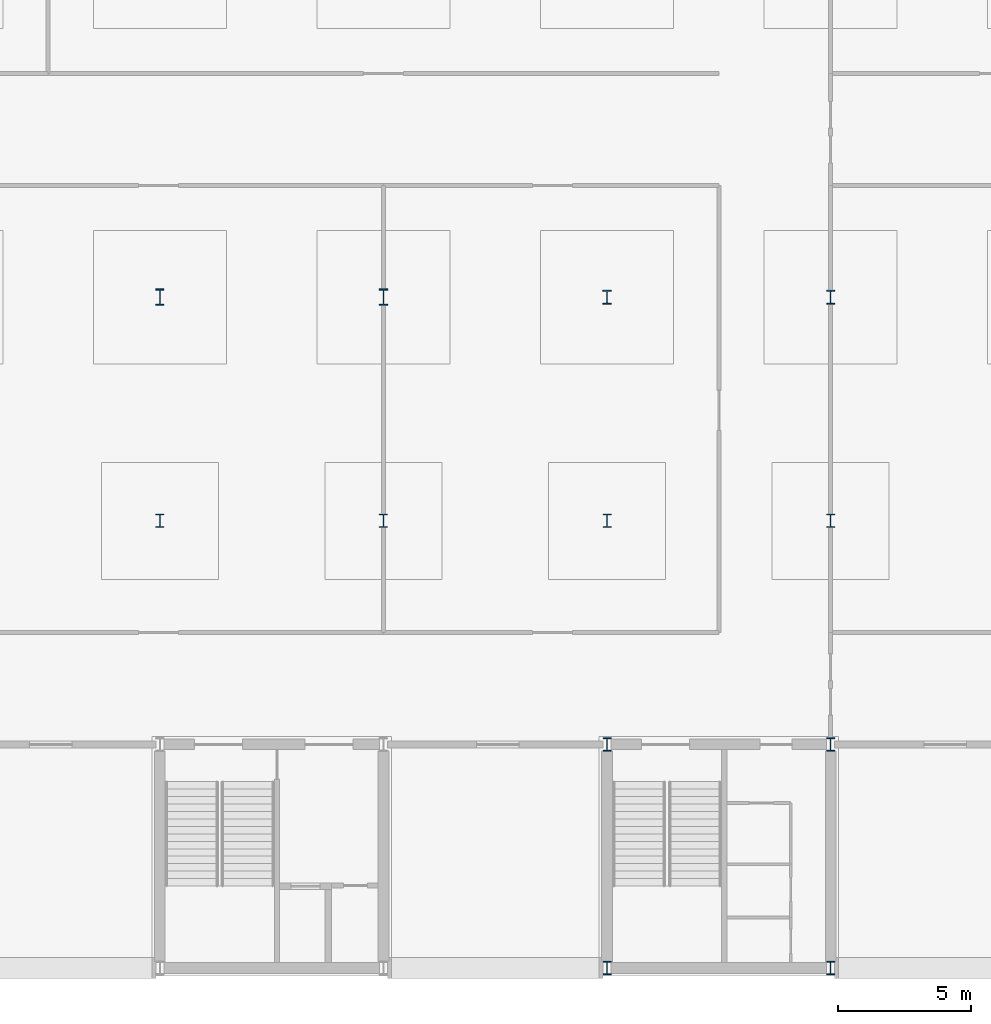
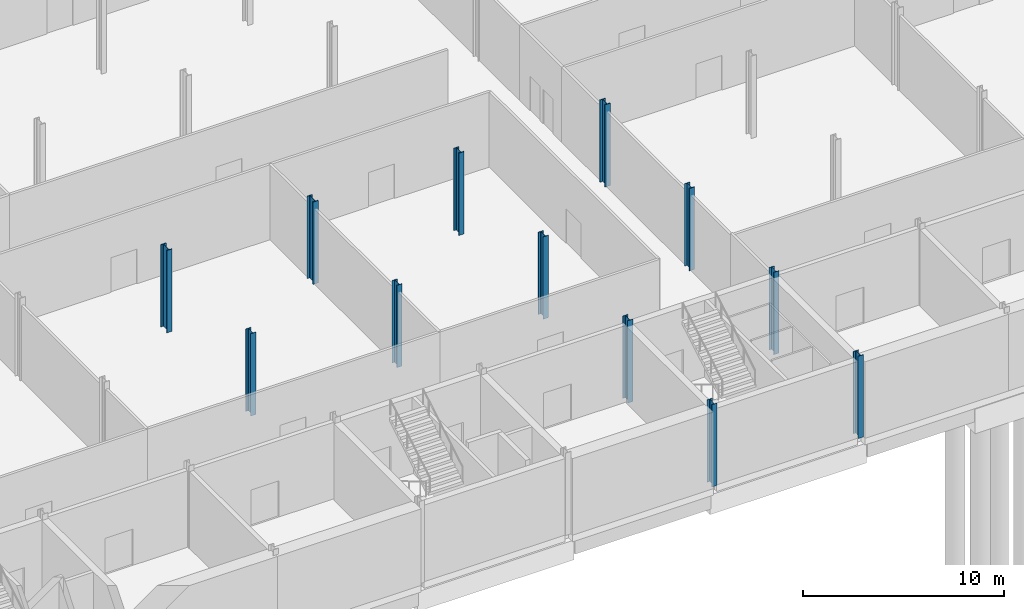
# One storey, part 4 of 22: 12 columns.
"""IFC4 building model written with IfcOpenShell, lengths in metres."""

from ifc_helpers import new_model, si_unit, direction, frame, origin, origin_2d, place, context, subcontext, project, spatial, i_section, extrude, material, material_profile, profile_set, type_object, element, save


model = new_model("IFC4")

# Units and contexts
model_context = context("Model", 3, precision=1e-05, world=origin(), true_north=direction((0.0, 1.0)))
body_context = subcontext(model_context, "Body", "Model", "MODEL_VIEW")
ifc_project = project(units=[si_unit("LENGTHUNIT", "METRE"), si_unit("AREAUNIT", "SQUARE_METRE"), si_unit("VOLUMEUNIT", "CUBIC_METRE"), si_unit("PLANEANGLEUNIT", "RADIAN"), si_unit("MASSUNIT", "GRAM", prefix="KILO")], contexts=[model_context])

# Site, building, storey
site_placement = place(None, origin())
site = spatial("IfcSite", under=ifc_project, at=site_placement, CompositionType="ELEMENT")
building_placement = place(site_placement, origin())
building = spatial("IfcBuilding", under=site, at=building_placement, Name="Galleria Vessillo Department Store", CompositionType="ELEMENT")
storey_placement = place(building_placement, frame((0.0, 0.0, -9.89990234375)))
storey = spatial("IfcBuildingStorey", under=building, at=storey_placement, Name="B2", CompositionType="ELEMENT", Elevation=-9.89990234375)

# Columns
ifc_material_1 = material(Name="Steel S355 J2", Category="steel")
ifc_material_profile_1 = material_profile(ifc_material_1, i_section(OverallWidth=0.300048828125, OverallDepth=0.5, WebThickness=0.014404296875, FlangeThickness=0.028076171875, FilletRadius=0.027099609375, at=origin_2d()), Name="HEB 500")
ifc_profile_set_1 = profile_set([ifc_material_profile_1], Name="Steel S355 J2")
column_type_1 = type_object("IfcColumnType", Name="Steel column HEB 500 CP1", PredefinedType="COLUMN", material=ifc_profile_set_1)
for number, where, z_axis, x_axis, name in (
    (1, (33.60009765625, 16.800048828125, 0.0), (0.0, 0.0, 1.0), (1.0, 0.0, 0.0), "S-COL-B2-5-C"),
    (2, (42.0, 16.800048828125, 0.0), (0.0, 0.0, 1.0), (1.0, 0.0, 0.0), "S-COL-B2-6-C"),
    (3, (50.39990234375, 0.0, 0.0), (0.0, 0.0, 1.0), (1.0, 0.0, 0.0), "S-COL-B2-7-A"),
    (4, (50.39990234375, 8.39990234375, 0.0), (0.0, 0.0, 1.0), (1.0, 0.0, 0.0), "S-COL-B2-7-B"),
    (5, (50.39990234375, 16.800048828125, 0.0), (0.0, 0.0, 1.0), (1.0, 0.0, 0.0), "S-COL-B2-7-C"),
    (6, (58.800048828125, 0.0, 0.0), (0.0, 0.0, 1.0), (1.0, 0.0, 0.0), "S-COL-B2-8-A"),
    (7, (58.800048828125, 8.39990234375, 0.0), (0.0, 0.0, 1.0), (1.0, 0.0, 0.0), "S-COL-B2-8-B"),
    (8, (58.800048828125, 16.800048828125, 0.0), (0.0, 0.0, 1.0), (1.0, 0.0, 0.0), "S-COL-B2-8-C"),
):
    element("IfcColumn", number, at=place(storey_placement, frame(where, z_axis=z_axis, x_axis=x_axis)), inside=storey, type_object=column_type_1, Name=name, PredefinedType="COLUMN", context=body_context, shape_type="SweptSolid", body=[
        extrude(i_section(OverallWidth=0.300048828125, OverallDepth=0.5, WebThickness=0.014404296875, FlangeThickness=0.028076171875, FilletRadius=0.027099609375, at=origin_2d()), origin(), (0.0, 0.0, 1.0), 5.0),
    ])
ifc_material_2 = material(Name="Steel S355 J2", Category="steel")
ifc_material_profile_2 = material_profile(ifc_material_2, i_section(OverallWidth=0.305908203125, OverallDepth=0.52392578125, WebThickness=0.02099609375, FlangeThickness=0.0400390625, FilletRadius=0.027099609375, at=origin_2d()), Name="HEM 500")
ifc_profile_set_2 = profile_set([ifc_material_profile_2], Name="Steel S355 J2")
column_type_2 = type_object("IfcColumnType", Name="Steel column HEM 500 CV1", PredefinedType="COLUMN", material=ifc_profile_set_2)
for number, where, z_axis, x_axis, name in (
    (9, (50.39990234375, 25.199951171875, 0.0), (0.0, 0.0, 1.0), (1.0, 0.0, 0.0), "S-COL-B2-7-D"),
    (10, (58.800048828125, 25.199951171875, 0.0), (0.0, 0.0, 1.0), (1.0, 0.0, 0.0), "S-COL-B2-8-D"),
):
    element("IfcColumn", number, at=place(storey_placement, frame(where, z_axis=z_axis, x_axis=x_axis)), inside=storey, type_object=column_type_2, Name=name, PredefinedType="COLUMN", context=body_context, shape_type="SweptSolid", body=[
        extrude(i_section(OverallWidth=0.305908203125, OverallDepth=0.52392578125, WebThickness=0.02099609375, FlangeThickness=0.0400390625, FilletRadius=0.027099609375, at=origin_2d()), origin(), (0.0, 0.0, 1.0), 5.0),
    ])
ifc_material_3 = material(Name="Steel S355 J2", Category="steel")
ifc_material_profile_3 = material_profile(ifc_material_3, i_section(OverallWidth=0.304931640625, OverallDepth=0.6201171875, WebThickness=0.02099609375, FlangeThickness=0.0400390625, FilletRadius=0.027099609375, at=origin_2d()), Name="HEM 600")
ifc_profile_set_3 = profile_set([ifc_material_profile_3], Name="Steel S355 J2")
column_type_3 = type_object("IfcColumnType", Name="Steel column HEM 600 CV2", PredefinedType="COLUMN", material=ifc_profile_set_3)
for number, where, z_axis, x_axis, name in (
    (11, (33.60009765625, 25.199951171875, 0.0), (0.0, 0.0, 1.0), (1.0, 0.0, 0.0), "S-COL-B2-5-D"),
    (12, (42.0, 25.199951171875, 0.0), (0.0, 0.0, 1.0), (1.0, 0.0, 0.0), "S-COL-B2-6-D"),
):
    element("IfcColumn", number, at=place(storey_placement, frame(where, z_axis=z_axis, x_axis=x_axis)), inside=storey, type_object=column_type_3, Name=name, PredefinedType="COLUMN", context=body_context, shape_type="SweptSolid", body=[
        extrude(i_section(OverallWidth=0.304931640625, OverallDepth=0.6201171875, WebThickness=0.02099609375, FlangeThickness=0.0400390625, FilletRadius=0.027099609375, at=origin_2d()), origin(), (0.0, 0.0, 1.0), 5.0),
    ])

save(model, "model.ifc")
